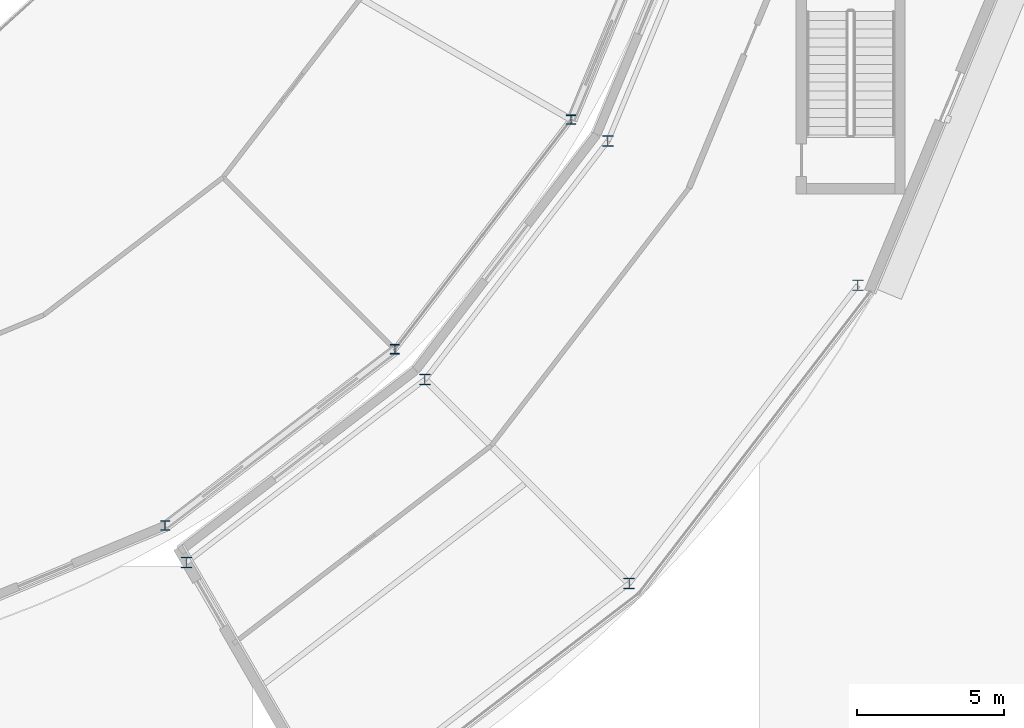
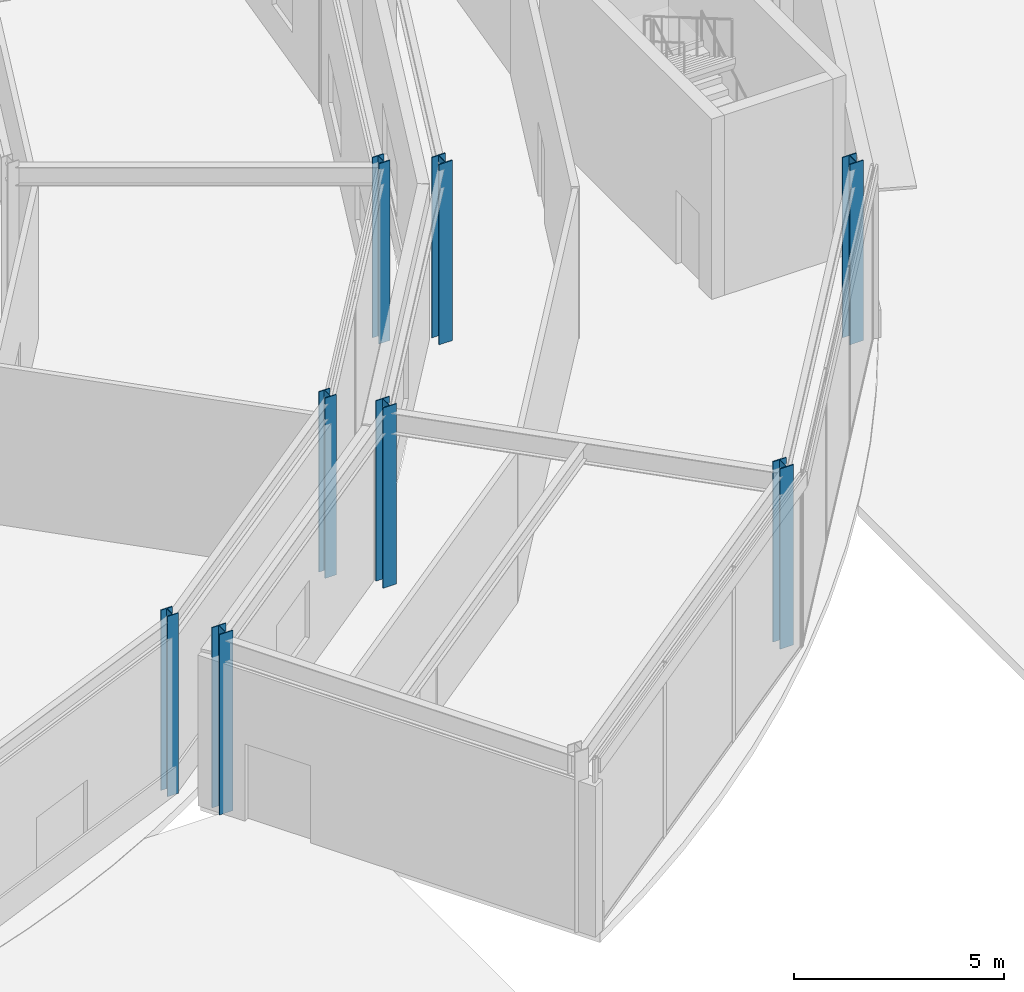
# One storey, part 6 of 168: 8 columns.
"""IFC4 building model written with IfcOpenShell, lengths in metres."""

import ifcopenshell
import ifcopenshell.guid

model = None  # the IFC model being written
_history = None  # IfcOwnerHistory: only IFC2X3 demands one
_inside = {}  # id of a spatial element -> (the spatial element, [elements in it])
_under = {}  # id of a project, library or spatial element -> (it, [spatial elements below it])
_declared = {}  # id of a project -> (the project, [libraries it declares])
_typed = {}  # id of a type object -> (the type object, [elements of that type])
_made_of = {}  # id of a material, layer set ... -> (it, [elements and type objects made of it])


def new_model(schema):
    """Start an empty IFC model of exactly this schema.

    Asked for "IFC4X3", IfcOpenShell would pick the latest addendum, in which some entities
    have other attributes; the version numbers below select the first issue.
    IFC2X3 requires an IfcOwnerHistory on every rooted entity: one is made here for all.
    """
    global model, _history
    if schema == "IFC4X3":
        model = ifcopenshell.file(schema_version=(4, 3, 0, 0))
    else:
        model = ifcopenshell.file(schema=schema)
    _inside.clear()
    _under.clear()
    _declared.clear()
    _typed.clear()
    _made_of.clear()
    _history = None
    if model.schema == "IFC2X3":
        org = make("IfcOrganization", Name="unknown")
        user = make(
            "IfcPersonAndOrganization",
            ThePerson=make("IfcPerson", FamilyName="unknown"),
            TheOrganization=org,
        )
        app = make(
            "IfcApplication",
            ApplicationDeveloper=org,
            Version="unknown",
            ApplicationFullName="unknown",
            ApplicationIdentifier="unknown",
        )
        _history = make(
            "IfcOwnerHistory",
            OwningUser=user,
            OwningApplication=app,
            ChangeAction="ADDED",
            CreationDate=0,
        )
    return model


def make(cls, **values):
    """One entity of the class cls with the attributes given. An attribute that is None is left unset."""
    return model.create_entity(
        cls, **{name: value for name, value in values.items() if value is not None}
    )


def rooted(cls, **values):
    """An entity with a GlobalId (a new one), such as an element, a storey or a relation."""
    return make(cls, GlobalId=ifcopenshell.guid.new(), OwnerHistory=_history, **values)


def si_unit(unit_type, name, prefix=None):
    """IfcSIUnit, for example si_unit("LENGTHUNIT", "METRE", prefix="MILLI")."""
    return make("IfcSIUnit", UnitType=unit_type, Prefix=prefix, Name=name)


def assignment(units):
    """IfcUnitAssignment: the units of a project."""
    return None if units is None else make("IfcUnitAssignment", Units=units)


def point(xyz):
    """IfcCartesianPoint."""
    return None if xyz is None else make("IfcCartesianPoint", Coordinates=xyz)


def direction(xyz):
    """IfcDirection."""
    return None if xyz is None else make("IfcDirection", DirectionRatios=xyz)


def frame(location, z_axis=None, x_axis=None):
    """IfcAxis2Placement3D, a coordinate frame: its origin and axes. An axis left out is left unset."""
    return make(
        "IfcAxis2Placement3D",
        Location=point(location),
        Axis=direction(z_axis),
        RefDirection=direction(x_axis),
    )


def frame_2d(location, x_axis=None):
    """IfcAxis2Placement2D, a coordinate frame in the plane: its origin and x axis."""
    return make(
        "IfcAxis2Placement2D", Location=point(location), RefDirection=direction(x_axis)
    )


def origin():
    """The frame at (0, 0, 0) with its axes left unset."""
    return frame((0.0, 0.0, 0.0))


def origin_2d():
    """The frame at (0, 0) in the plane with its x axis left unset."""
    return frame_2d((0.0, 0.0))


def place(relative_to, where):
    """IfcLocalPlacement: puts the frame where relative to a parent placement (None: the world)."""
    return make(
        "IfcLocalPlacement", PlacementRelTo=relative_to, RelativePlacement=where
    )


def context(
    kind, dimensions, precision=None, world=None, true_north=None, identifier=None
):
    """IfcGeometricRepresentationContext, for example the 3D "Model" context."""
    return make(
        "IfcGeometricRepresentationContext",
        ContextIdentifier=identifier,
        ContextType=kind,
        CoordinateSpaceDimension=dimensions,
        Precision=precision,
        WorldCoordinateSystem=world,
        TrueNorth=true_north,
    )


def subcontext(parent, identifier, kind, view, scale=None):
    """IfcGeometricRepresentationSubContext, for example "Body" below "Model"."""
    return make(
        "IfcGeometricRepresentationSubContext",
        ContextIdentifier=identifier,
        ContextType=kind,
        ParentContext=parent,
        TargetScale=scale,
        TargetView=view,
    )


def project(units=None, contexts=None):
    """IfcProject with its units and contexts."""
    return rooted(
        "IfcProject",
        Name="project",
        RepresentationContexts=contexts,
        UnitsInContext=assignment(units),
    )


def spatial(cls, under=None, at=None, **own):
    """A site, building, storey or space (cls), placed at a placement, below another one or the project."""
    s = rooted(cls, ObjectPlacement=at, **own)
    if under is not None:
        _under.setdefault(under.id(), (under, []))[1].append(s)
    return s


def profile(cls, at=None, kind="AREA", **sizes):
    """A parametric profile (cls). Its sizes go by their IFC names, for example OverallWidth=200.0."""
    return make(cls, ProfileType=kind, Position=at, **sizes)


def i_section(**sizes):
    """IfcIShapeProfileDef."""
    return profile("IfcIShapeProfileDef", **sizes)


def extrude(swept, where, along, depth):
    """IfcExtrudedAreaSolid: the profile swept, set in the frame where, extruded along a direction by depth."""
    return make(
        "IfcExtrudedAreaSolid",
        SweptArea=swept,
        Position=where,
        ExtrudedDirection=direction(along),
        Depth=depth,
    )


def shape(context_of_items, identifier, shape_type, items):
    """IfcShapeRepresentation: the items that make up one representation, for example the "Body"."""
    return make(
        "IfcShapeRepresentation",
        ContextOfItems=context_of_items,
        RepresentationIdentifier=identifier,
        RepresentationType=shape_type,
        Items=items,
    )


def material(Name=None, Category=None):
    """IfcMaterial."""
    return make("IfcMaterial", Name=Name, Category=Category)


def material_profile(
    of_material, cross_section, Name=None, Category=None, Priority=None
):
    """IfcMaterialProfile: a cross section and its material."""
    return make(
        "IfcMaterialProfile",
        Name=Name,
        Material=of_material,
        Profile=cross_section,
        Priority=Priority,
        Category=Category,
    )


def profile_set(profiles, Name=None, composite=None):
    """IfcMaterialProfileSet."""
    return make(
        "IfcMaterialProfileSet",
        Name=Name,
        MaterialProfiles=profiles,
        CompositeProfile=composite,
    )


def made_of(thing, what):
    """Note that an element or type object is made of a material, layer set ...; save() writes the relation."""
    if what is not None:
        _made_of.setdefault(what.id(), (what, []))[1].append(thing)
    return thing


def type_object(cls, material=None, **own):
    """A type object (cls), such as IfcWallType, which elements share."""
    return made_of(rooted(cls, **own), material)


def element(
    cls,
    number,
    at=None,
    inside=None,
    cuts=None,
    type_object=None,
    material=None,
    context=None,
    identifier="Body",
    shape_type=None,
    held_by="IfcProductDefinitionShape",
    body=None,
    shapes=None,
    **own,
):
    """One element of the class cls, such as IfcWall. Its Tag is "e" and its number.

    at: its placement. inside: the storey or other place that contains it. cuts: it is an
    opening in that element (IfcRelVoidsElement). A single representation is given by context,
    identifier, shape_type and body (its items); several are given by shapes. held_by: the class
    of the entity that holds the representations. save() writes the other relations.
    """
    e = rooted(cls, Tag="e%d" % number, ObjectPlacement=at, **own)
    if body is not None:
        shapes = [shape(context, identifier, shape_type, body)]
    if shapes is not None:
        e.Representation = make(held_by, Representations=shapes)
    if inside is not None:
        _inside.setdefault(inside.id(), (inside, []))[1].append(e)
    if cuts is not None:
        rooted(
            "IfcRelVoidsElement", RelatingBuildingElement=cuts, RelatedOpeningElement=e
        )
    if type_object is not None:
        _typed.setdefault(type_object.id(), (type_object, []))[1].append(e)
    return made_of(e, material)


def aggregate(whole, parts):
    """IfcRelAggregates: a whole, such as a stair, and the parts it consists of."""
    return rooted("IfcRelAggregates", RelatingObject=whole, RelatedObjects=parts)


def save(model, path):
    """Write the relations noted so far, then the file.

    IfcRelAggregates (storeys below a building ...), IfcRelContainedInSpatialStructure (elements
    in a storey), IfcRelDefinesByType, IfcRelAssociatesMaterial and IfcRelDeclares: one each for
    every whole, place, type object, material and project.
    """
    for whole, parts in _under.values():
        aggregate(whole, parts)
    for where, things in _inside.values():
        rooted(
            "IfcRelContainedInSpatialStructure",
            RelatedElements=things,
            RelatingStructure=where,
        )
    for kind, things in _typed.values():
        rooted("IfcRelDefinesByType", RelatedObjects=things, RelatingType=kind)
    for what, things in _made_of.values():
        rooted("IfcRelAssociatesMaterial", RelatedObjects=things, RelatingMaterial=what)
    for by, libraries in _declared.values():
        rooted("IfcRelDeclares", RelatingContext=by, RelatedDefinitions=libraries)
    model.write(path)


model = new_model("IFC4")

# Units and contexts
model_context = context("Model", 3, precision=1e-05, world=origin(), true_north=direction((0.0, 1.0)))
body_context = subcontext(model_context, "Body", "Model", "MODEL_VIEW")
ifc_project = project(units=[si_unit("LENGTHUNIT", "METRE"), si_unit("AREAUNIT", "SQUARE_METRE"), si_unit("VOLUMEUNIT", "CUBIC_METRE"), si_unit("PLANEANGLEUNIT", "RADIAN"), si_unit("MASSUNIT", "GRAM", prefix="KILO")], contexts=[model_context])

# Site, building, storey
site_placement = place(None, origin())
site = spatial("IfcSite", under=ifc_project, at=site_placement, CompositionType="ELEMENT")
building_placement = place(site_placement, origin())
building = spatial("IfcBuilding", under=site, at=building_placement, Name="Almandine Court Research Institute", CompositionType="ELEMENT")
storey_placement = place(building_placement, origin())
storey = spatial("IfcBuildingStorey", under=building, at=storey_placement, Name="L00", CompositionType="ELEMENT", Elevation=0.0)

# Columns
ifc_material = material(Name="Steel ASTM A992 Grade 50", Category="steel")
ifc_material_profile_1 = material_profile(ifc_material, i_section(OverallWidth=0.373046875, OverallDepth=0.367919921875, WebThickness=0.01708984375, FlangeThickness=0.027099609375, at=origin_2d()), Name="W360x179")
ifc_profile_set_1 = profile_set([ifc_material_profile_1], Name="Steel ASTM A992 Grade 50")
column_type_1 = type_object("IfcColumnType", Name="Col-C-W03-E", PredefinedType="COLUMN", material=ifc_profile_set_1)
for number, where, z_axis, x_axis, name in (
    (1, (106.550048828125, 22.137939453125, 0.0), (0.0, 0.0, 1.0), (1.0, 0.0, 0.0), "L00 V5 Column V5-IN-S20"),
    (2, (114.64794921875, 28.35205078125, 0.0), (0.0, 0.0, 1.0), (1.0, 0.0, 0.0), "L00 V5 Column V5-IN-S21"),
    (3, (121.577880859375, 21.422119140625, 0.0), (0.0, 0.0, 1.0), (1.0, 0.0, 0.0), "L00 V5 Column V5-OUT-S21"),
    (4, (120.862060546875, 36.449951171875, 0.0), (0.0, 0.0, 1.0), (1.0, 0.0, 0.0), "L00 V5 Column V5-IN-S22"),
    (5, (129.34912109375, 31.550048828125, 0.0), (0.0, 0.0, 1.0), (1.0, 0.0, 0.0), "L00 V5 Column V5-OUT-S22"),
):
    element("IfcColumn", number, at=place(storey_placement, frame(where, z_axis=z_axis, x_axis=x_axis)), inside=storey, type_object=column_type_1, Name=name, PredefinedType="COLUMN", context=body_context, shape_type="SweptSolid", body=[
        extrude(i_section(OverallWidth=0.373046875, OverallDepth=0.367919921875, WebThickness=0.01708984375, FlangeThickness=0.027099609375, at=origin_2d()), origin(), (0.0, 0.0, 1.0), 5.25),
    ])
ifc_material_profile_2 = material_profile(ifc_material, i_section(OverallWidth=0.31005859375, OverallDepth=0.326904296875, WebThickness=0.01611328125, FlangeThickness=0.02490234375, at=origin_2d()), Name="W310x158")
ifc_profile_set_2 = profile_set([ifc_material_profile_2], Name="Steel ASTM A992 Grade 50")
column_type_2 = type_object("IfcColumnType", Name="Col-C-W06", PredefinedType="COLUMN", material=ifc_profile_set_2)
for number, where, z_axis, x_axis, name in (
    (6, (105.824951171875, 23.39404296875, 0.0), (0.0, 0.0, 1.0), (1.0, 0.0, 0.0), "L00 V2 Column V2-OUT-S20"),
    (7, (113.623046875, 29.376953125, 0.0), (0.0, 0.0, 1.0), (1.0, 0.0, 0.0), "L00 V2 Column V2-OUT-S21"),
    (8, (119.60595703125, 37.175048828125, 0.0), (0.0, 0.0, 1.0), (1.0, 0.0, 0.0), "L00 V2 Column V2-OUT-S22"),
):
    element("IfcColumn", number, at=place(storey_placement, frame(where, z_axis=z_axis, x_axis=x_axis)), inside=storey, type_object=column_type_2, Name=name, PredefinedType="COLUMN", context=body_context, shape_type="SweptSolid", body=[
        extrude(i_section(OverallWidth=0.31005859375, OverallDepth=0.326904296875, WebThickness=0.01611328125, FlangeThickness=0.02490234375, at=origin_2d()), origin(), (0.0, 0.0, 1.0), 5.25),
    ])

save(model, "model.ifc")
